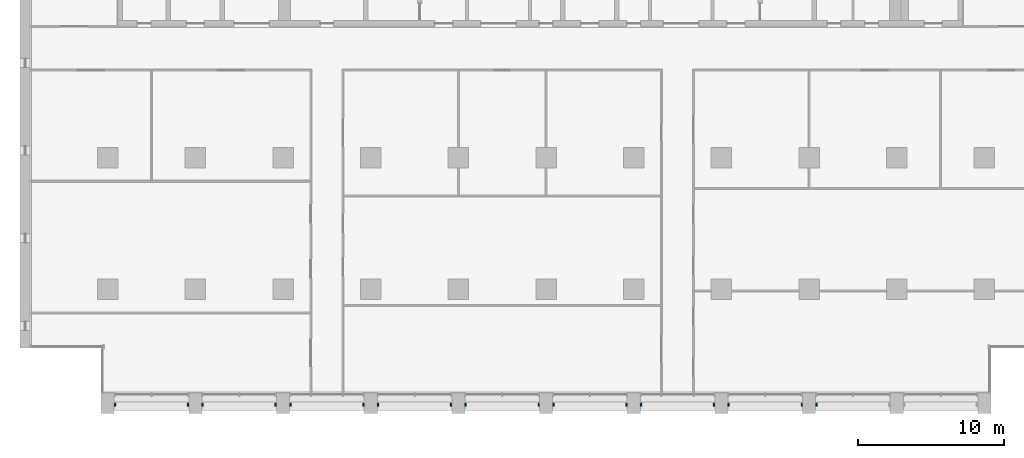
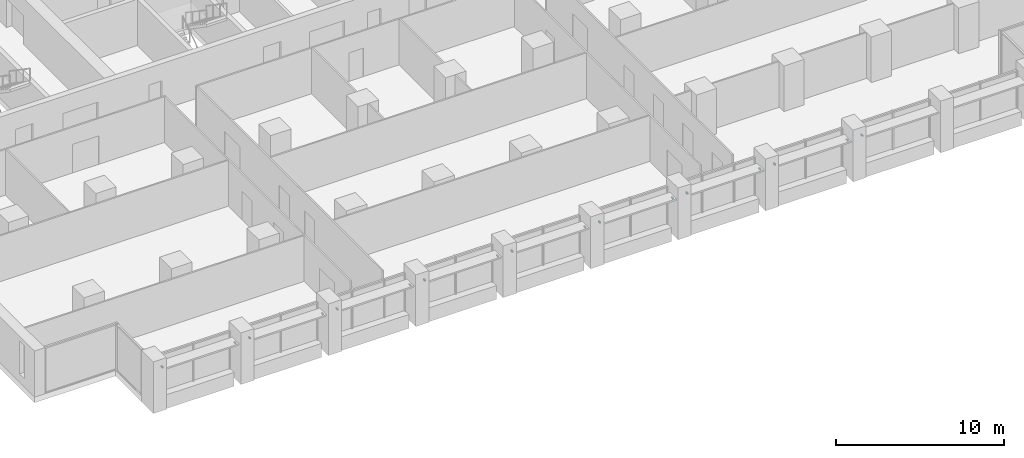
# One storey, part 14 of 17: 17 discrete accessories.
"""IFC4 building model written with IfcOpenShell, lengths in metres."""

from ifc_helpers import new_model, si_unit, direction, frame, origin, origin_2d, place, context, subcontext, project, spatial, rectangle, extrude, element, save


model = new_model("IFC4")

# Units and contexts
model_context = context("Model", 3, precision=1e-05, world=origin(), true_north=direction((0.0, 1.0)))
body_context = subcontext(model_context, "Body", "Model", "MODEL_VIEW")
ifc_project = project(units=[si_unit("LENGTHUNIT", "METRE"), si_unit("AREAUNIT", "SQUARE_METRE"), si_unit("VOLUMEUNIT", "CUBIC_METRE"), si_unit("PLANEANGLEUNIT", "RADIAN"), si_unit("MASSUNIT", "GRAM", prefix="KILO")], contexts=[model_context])

# Site, building, storey
site_placement = place(None, origin())
site = spatial("IfcSite", under=ifc_project, at=site_placement, CompositionType="ELEMENT")
building_placement = place(site_placement, origin())
building = spatial("IfcBuilding", under=site, at=building_placement, Name="Calvaro Tower", CompositionType="ELEMENT")
storey_placement = place(building_placement, frame((0.0, 0.0, 102.5)))
storey = spatial("IfcBuildingStorey", under=building, at=storey_placement, Name="L25", CompositionType="ELEMENT", Elevation=102.5)

# Discrete accessories
for number, where, z_axis, x_axis, name in (
    (1, (6.5, 2.10009765625, 2.25), (0.0, 0.0, 1.0), (1.0, 0.0, 0.0), "Brise-soleil bracket"),
    (2, (11.5, 2.10009765625, 2.25), (0.0, 0.0, 1.0), (1.0, 0.0, 0.0), "Brise-soleil bracket"),
    (3, (12.5, 2.10009765625, 2.25), (0.0, 0.0, 1.0), (1.0, 0.0, 0.0), "Brise-soleil bracket"),
    (4, (17.5, 2.10009765625, 2.25), (0.0, 0.0, 1.0), (1.0, 0.0, 0.0), "Brise-soleil bracket"),
    (5, (18.5, 2.10009765625, 2.25), (0.0, 0.0, 1.0), (1.0, 0.0, 0.0), "Brise-soleil bracket"),
    (6, (23.5, 2.10009765625, 2.25), (0.0, 0.0, 1.0), (1.0, 0.0, 0.0), "Brise-soleil bracket"),
    (7, (24.5, 2.10009765625, 2.25), (0.0, 0.0, 1.0), (1.0, 0.0, 0.0), "Brise-soleil bracket"),
    (8, (29.5, 2.10009765625, 2.25), (0.0, 0.0, 1.0), (1.0, 0.0, 0.0), "Brise-soleil bracket"),
    (9, (30.5, 2.10009765625, 2.25), (0.0, 0.0, 1.0), (1.0, 0.0, 0.0), "Brise-soleil bracket"),
    (10, (35.5, 2.10009765625, 2.25), (0.0, 0.0, 1.0), (1.0, 0.0, 0.0), "Brise-soleil bracket"),
    (11, (36.5, 2.10009765625, 2.25), (0.0, 0.0, 1.0), (1.0, 0.0, 0.0), "Brise-soleil bracket"),
    (12, (41.5, 2.10009765625, 2.25), (0.0, 0.0, 1.0), (1.0, 0.0, 0.0), "Brise-soleil bracket"),
    (13, (42.5, 2.10009765625, 2.25), (0.0, 0.0, 1.0), (1.0, 0.0, 0.0), "Brise-soleil bracket"),
    (14, (47.5, 2.10009765625, 2.25), (0.0, 0.0, 1.0), (1.0, 0.0, 0.0), "Brise-soleil bracket"),
    (15, (48.5, 2.10009765625, 2.25), (0.0, 0.0, 1.0), (1.0, 0.0, 0.0), "Brise-soleil bracket"),
    (16, (53.5, 2.10009765625, 2.25), (0.0, 0.0, 1.0), (1.0, 0.0, 0.0), "Brise-soleil bracket"),
    (17, (54.5, 2.10009765625, 2.25), (0.0, 0.0, 1.0), (1.0, 0.0, 0.0), "Brise-soleil bracket"),
):
    element("IfcDiscreteAccessory", number, at=place(storey_placement, frame(where, z_axis=z_axis, x_axis=x_axis)), inside=storey, Name=name, PredefinedType="BRACKET", context=body_context, shape_type="SweptSolid", body=[
        extrude(rectangle(XDim=0.10009765625, YDim=0.199951171875, at=origin_2d()), origin(), (0.0, 0.0, 1.0), 0.10009765625),
    ])

save(model, "model.ifc")
